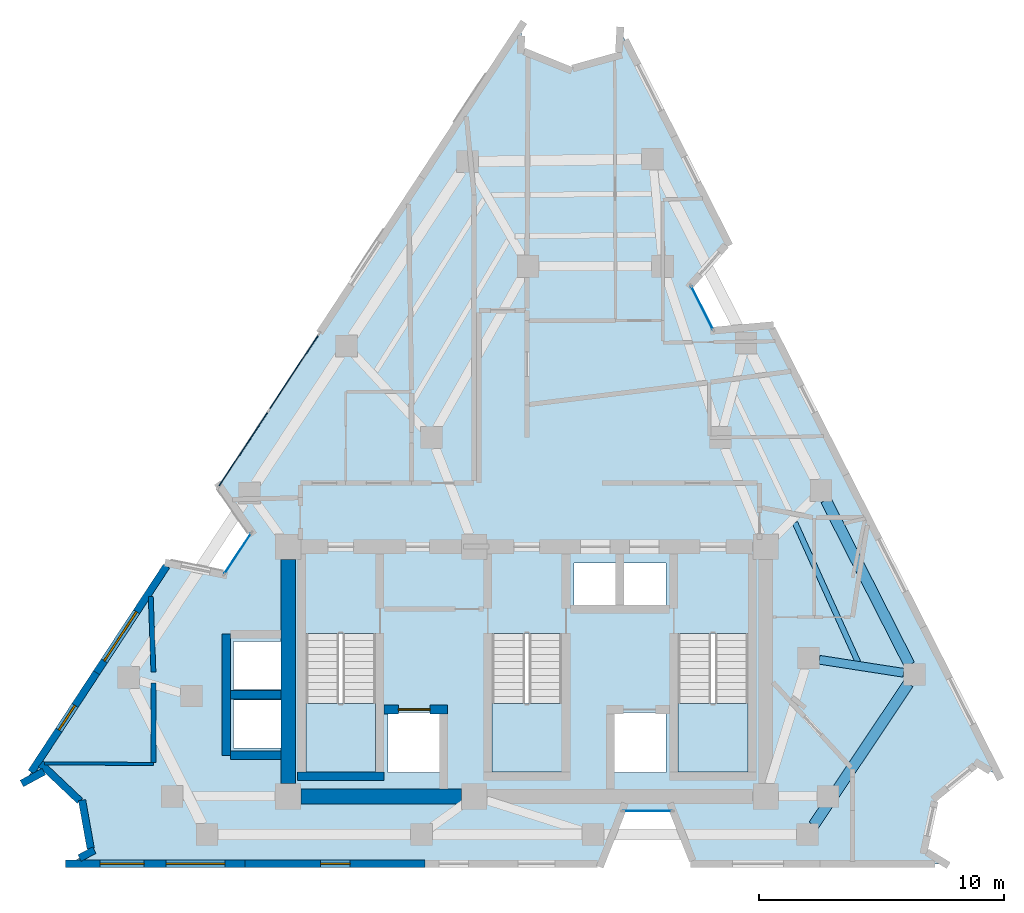
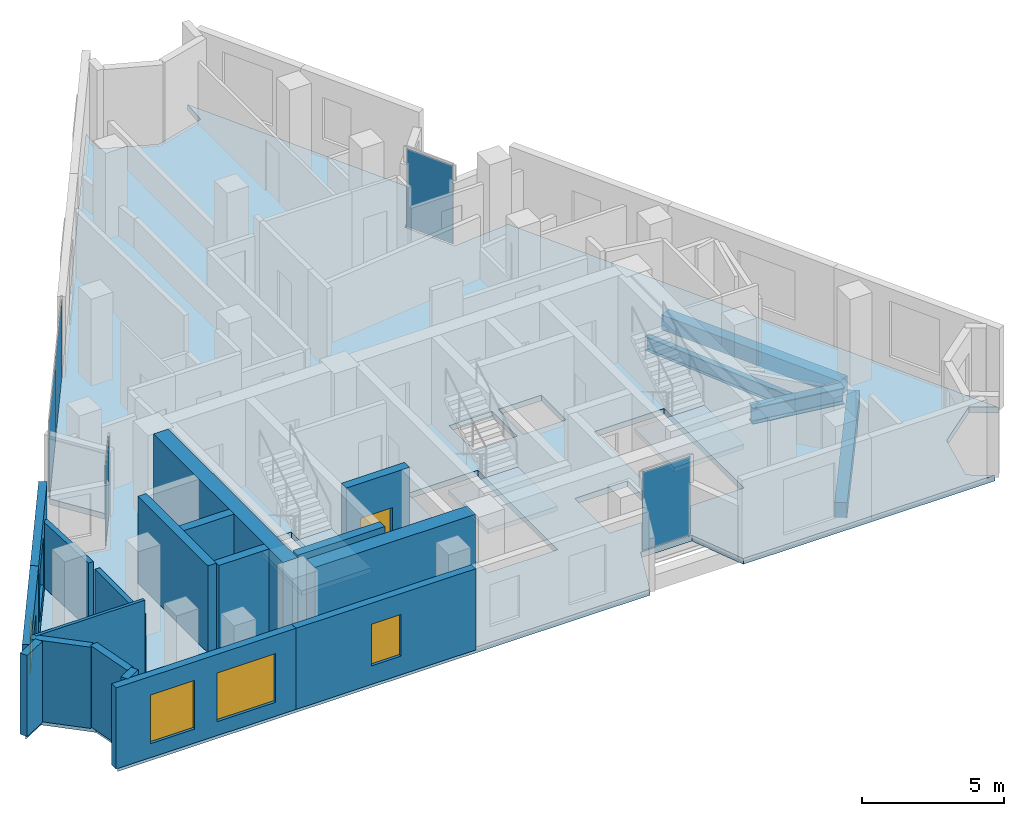
# One storey, part 4 of 9: 18 walls, 5 plates, 5 windows, 4 beams, 4 slabs, 1 door, 6 openings, 7 elements without a shape of their own.
"""IFC4 building model written with IfcOpenShell, lengths in metres."""

import ifcopenshell
import ifcopenshell.guid

model = None  # the IFC model being written
_history = None  # IfcOwnerHistory: only IFC2X3 demands one
_inside = {}  # id of a spatial element -> (the spatial element, [elements in it])
_under = {}  # id of a project, library or spatial element -> (it, [spatial elements below it])
_declared = {}  # id of a project -> (the project, [libraries it declares])
_typed = {}  # id of a type object -> (the type object, [elements of that type])
_made_of = {}  # id of a material, layer set ... -> (it, [elements and type objects made of it])


def new_model(schema):
    """Start an empty IFC model of exactly this schema.

    Asked for "IFC4X3", IfcOpenShell would pick the latest addendum, in which some entities
    have other attributes; the version numbers below select the first issue.
    IFC2X3 requires an IfcOwnerHistory on every rooted entity: one is made here for all.
    """
    global model, _history
    if schema == "IFC4X3":
        model = ifcopenshell.file(schema_version=(4, 3, 0, 0))
    else:
        model = ifcopenshell.file(schema=schema)
    _inside.clear()
    _under.clear()
    _declared.clear()
    _typed.clear()
    _made_of.clear()
    _history = None
    if model.schema == "IFC2X3":
        org = make("IfcOrganization", Name="unknown")
        user = make(
            "IfcPersonAndOrganization",
            ThePerson=make("IfcPerson", FamilyName="unknown"),
            TheOrganization=org,
        )
        app = make(
            "IfcApplication",
            ApplicationDeveloper=org,
            Version="unknown",
            ApplicationFullName="unknown",
            ApplicationIdentifier="unknown",
        )
        _history = make(
            "IfcOwnerHistory",
            OwningUser=user,
            OwningApplication=app,
            ChangeAction="ADDED",
            CreationDate=0,
        )
    return model


def make(cls, **values):
    """One entity of the class cls with the attributes given. An attribute that is None is left unset."""
    return model.create_entity(
        cls, **{name: value for name, value in values.items() if value is not None}
    )


def rooted(cls, **values):
    """An entity with a GlobalId (a new one), such as an element, a storey or a relation."""
    return make(cls, GlobalId=ifcopenshell.guid.new(), OwnerHistory=_history, **values)


def si_unit(unit_type, name, prefix=None):
    """IfcSIUnit, for example si_unit("LENGTHUNIT", "METRE", prefix="MILLI")."""
    return make("IfcSIUnit", UnitType=unit_type, Prefix=prefix, Name=name)


def assignment(units):
    """IfcUnitAssignment: the units of a project."""
    return None if units is None else make("IfcUnitAssignment", Units=units)


def point(xyz):
    """IfcCartesianPoint."""
    return None if xyz is None else make("IfcCartesianPoint", Coordinates=xyz)


def direction(xyz):
    """IfcDirection."""
    return None if xyz is None else make("IfcDirection", DirectionRatios=xyz)


def frame(location, z_axis=None, x_axis=None):
    """IfcAxis2Placement3D, a coordinate frame: its origin and axes. An axis left out is left unset."""
    return make(
        "IfcAxis2Placement3D",
        Location=point(location),
        Axis=direction(z_axis),
        RefDirection=direction(x_axis),
    )


def frame_2d(location, x_axis=None):
    """IfcAxis2Placement2D, a coordinate frame in the plane: its origin and x axis."""
    return make(
        "IfcAxis2Placement2D", Location=point(location), RefDirection=direction(x_axis)
    )


def origin():
    """The frame at (0, 0, 0) with its axes left unset."""
    return frame((0.0, 0.0, 0.0))


def origin_2d():
    """The frame at (0, 0) in the plane with its x axis left unset."""
    return frame_2d((0.0, 0.0))


def place(relative_to, where):
    """IfcLocalPlacement: puts the frame where relative to a parent placement (None: the world)."""
    return make(
        "IfcLocalPlacement", PlacementRelTo=relative_to, RelativePlacement=where
    )


def context(
    kind, dimensions, precision=None, world=None, true_north=None, identifier=None
):
    """IfcGeometricRepresentationContext, for example the 3D "Model" context."""
    return make(
        "IfcGeometricRepresentationContext",
        ContextIdentifier=identifier,
        ContextType=kind,
        CoordinateSpaceDimension=dimensions,
        Precision=precision,
        WorldCoordinateSystem=world,
        TrueNorth=true_north,
    )


def subcontext(parent, identifier, kind, view, scale=None):
    """IfcGeometricRepresentationSubContext, for example "Body" below "Model"."""
    return make(
        "IfcGeometricRepresentationSubContext",
        ContextIdentifier=identifier,
        ContextType=kind,
        ParentContext=parent,
        TargetScale=scale,
        TargetView=view,
    )


def project(units=None, contexts=None):
    """IfcProject with its units and contexts."""
    return rooted(
        "IfcProject",
        Name="project",
        RepresentationContexts=contexts,
        UnitsInContext=assignment(units),
    )


def spatial(cls, under=None, at=None, **own):
    """A site, building, storey or space (cls), placed at a placement, below another one or the project."""
    s = rooted(cls, ObjectPlacement=at, **own)
    if under is not None:
        _under.setdefault(under.id(), (under, []))[1].append(s)
    return s


def polyline(points):
    """IfcPolyline through the points."""
    return make("IfcPolyline", Points=[point(p) for p in points])


def profile(cls, at=None, kind="AREA", **sizes):
    """A parametric profile (cls). Its sizes go by their IFC names, for example OverallWidth=200.0."""
    return make(cls, ProfileType=kind, Position=at, **sizes)


def rectangle(**sizes):
    """IfcRectangleProfileDef."""
    return profile("IfcRectangleProfileDef", **sizes)


def i_section(**sizes):
    """IfcIShapeProfileDef."""
    return profile("IfcIShapeProfileDef", **sizes)


def outline(outer, holes=None, kind="AREA"):
    """IfcArbitraryClosedProfileDef: a profile drawn as a closed curve; with holes, ...WithVoids."""
    if holes is None:
        return make("IfcArbitraryClosedProfileDef", ProfileType=kind, OuterCurve=outer)
    return make(
        "IfcArbitraryProfileDefWithVoids",
        ProfileType=kind,
        OuterCurve=outer,
        InnerCurves=holes,
    )


def extrude(swept, where, along, depth):
    """IfcExtrudedAreaSolid: the profile swept, set in the frame where, extruded along a direction by depth."""
    return make(
        "IfcExtrudedAreaSolid",
        SweptArea=swept,
        Position=where,
        ExtrudedDirection=direction(along),
        Depth=depth,
    )


def shape(context_of_items, identifier, shape_type, items):
    """IfcShapeRepresentation: the items that make up one representation, for example the "Body"."""
    return make(
        "IfcShapeRepresentation",
        ContextOfItems=context_of_items,
        RepresentationIdentifier=identifier,
        RepresentationType=shape_type,
        Items=items,
    )


def material(Name=None, Category=None):
    """IfcMaterial."""
    return make("IfcMaterial", Name=Name, Category=Category)


def layer(
    of_material, thickness, ventilated=None, Name=None, Category=None, Priority=None
):
    """IfcMaterialLayer: one layer of a wall or slab, of a material (None: an air gap)."""
    return make(
        "IfcMaterialLayer",
        Material=of_material,
        LayerThickness=thickness,
        IsVentilated=ventilated,
        Name=Name,
        Category=Category,
        Priority=Priority,
    )


def layer_set(layers, Name=None):
    """IfcMaterialLayerSet."""
    return make("IfcMaterialLayerSet", MaterialLayers=layers, LayerSetName=Name)


def material_profile(
    of_material, cross_section, Name=None, Category=None, Priority=None
):
    """IfcMaterialProfile: a cross section and its material."""
    return make(
        "IfcMaterialProfile",
        Name=Name,
        Material=of_material,
        Profile=cross_section,
        Priority=Priority,
        Category=Category,
    )


def profile_set(profiles, Name=None, composite=None):
    """IfcMaterialProfileSet."""
    return make(
        "IfcMaterialProfileSet",
        Name=Name,
        MaterialProfiles=profiles,
        CompositeProfile=composite,
    )


def made_of(thing, what):
    """Note that an element or type object is made of a material, layer set ...; save() writes the relation."""
    if what is not None:
        _made_of.setdefault(what.id(), (what, []))[1].append(thing)
    return thing


def type_object(cls, material=None, **own):
    """A type object (cls), such as IfcWallType, which elements share."""
    return made_of(rooted(cls, **own), material)


def element(
    cls,
    number,
    at=None,
    inside=None,
    cuts=None,
    type_object=None,
    material=None,
    context=None,
    identifier="Body",
    shape_type=None,
    held_by="IfcProductDefinitionShape",
    body=None,
    shapes=None,
    **own,
):
    """One element of the class cls, such as IfcWall. Its Tag is "e" and its number.

    at: its placement. inside: the storey or other place that contains it. cuts: it is an
    opening in that element (IfcRelVoidsElement). A single representation is given by context,
    identifier, shape_type and body (its items); several are given by shapes. held_by: the class
    of the entity that holds the representations. save() writes the other relations.
    """
    e = rooted(cls, Tag="e%d" % number, ObjectPlacement=at, **own)
    if body is not None:
        shapes = [shape(context, identifier, shape_type, body)]
    if shapes is not None:
        e.Representation = make(held_by, Representations=shapes)
    if inside is not None:
        _inside.setdefault(inside.id(), (inside, []))[1].append(e)
    if cuts is not None:
        rooted(
            "IfcRelVoidsElement", RelatingBuildingElement=cuts, RelatedOpeningElement=e
        )
    if type_object is not None:
        _typed.setdefault(type_object.id(), (type_object, []))[1].append(e)
    return made_of(e, material)


def fill(opening, filler):
    """IfcRelFillsElement: the door or window that sits in an opening."""
    return rooted(
        "IfcRelFillsElement",
        RelatingOpeningElement=opening,
        RelatedBuildingElement=filler,
    )


def aggregate(whole, parts):
    """IfcRelAggregates: a whole, such as a stair, and the parts it consists of."""
    return rooted("IfcRelAggregates", RelatingObject=whole, RelatedObjects=parts)


def save(model, path):
    """Write the relations noted so far, then the file.

    IfcRelAggregates (storeys below a building ...), IfcRelContainedInSpatialStructure (elements
    in a storey), IfcRelDefinesByType, IfcRelAssociatesMaterial and IfcRelDeclares: one each for
    every whole, place, type object, material and project.
    """
    for whole, parts in _under.values():
        aggregate(whole, parts)
    for where, things in _inside.values():
        rooted(
            "IfcRelContainedInSpatialStructure",
            RelatedElements=things,
            RelatingStructure=where,
        )
    for kind, things in _typed.values():
        rooted("IfcRelDefinesByType", RelatedObjects=things, RelatingType=kind)
    for what, things in _made_of.values():
        rooted("IfcRelAssociatesMaterial", RelatedObjects=things, RelatingMaterial=what)
    for by, libraries in _declared.values():
        rooted("IfcRelDeclares", RelatingContext=by, RelatedDefinitions=libraries)
    model.write(path)


model = new_model("IFC4")

# Units and contexts
model_context = context("Model", 3, precision=1e-05, world=origin(), true_north=direction((0.0, 1.0)))
body_context = subcontext(model_context, "Body", "Model", "MODEL_VIEW")
ifc_project = project(units=[si_unit("LENGTHUNIT", "METRE"), si_unit("AREAUNIT", "SQUARE_METRE"), si_unit("VOLUMEUNIT", "CUBIC_METRE"), si_unit("PLANEANGLEUNIT", "RADIAN"), si_unit("MASSUNIT", "GRAM", prefix="KILO")], contexts=[model_context])

# Site, building, storey
site_placement = place(None, origin())
site = spatial("IfcSite", under=ifc_project, at=site_placement, CompositionType="ELEMENT")
building_placement = place(site_placement, origin())
building = spatial("IfcBuilding", under=site, at=building_placement, Name="Almagre Mirador Tower", CompositionType="ELEMENT")
storey_placement = place(building_placement, frame((0.0, 0.0, 248.25)))
storey = spatial("IfcBuildingStorey", under=building, at=storey_placement, Name="L64", CompositionType="ELEMENT", Elevation=248.25)

# Beams
ifc_material_1 = material(Name="Steel ASTM A992 Grade 50", Category="steel")
ifc_material_profile_1 = material_profile(ifc_material_1, i_section(OverallWidth=0.22802734375, OverallDepth=0.60791015625, WebThickness=0.01123046875, FlangeThickness=0.017333984375, FilletRadius=0.02001953125, at=origin_2d()), Name="W24X76")
ifc_profile_set_1 = profile_set([ifc_material_profile_1], Name="Steel ASTM A992 Grade 50")
beam_type_1 = type_object("IfcBeamType", Name="BM-JST-W24X76", PredefinedType="JOIST", material=ifc_profile_set_1)
beam_1_placement = place(storey_placement, frame((50.821533203125, 10.038330078125, -0.553955078125), z_axis=(-0.411985589516, 0.911190361029, 0.0), x_axis=(-0.911190361029, -0.411985589516, 0.0)))
element("IfcBeam", 1, at=beam_1_placement, inside=storey, type_object=beam_type_1, Name="L64 secondary floor joist PC05-PC06.2", PredefinedType="JOIST", context=body_context, shape_type="SweptSolid", body=[
    extrude(i_section(OverallWidth=0.22802734375, OverallDepth=0.60791015625, WebThickness=0.01123046875, FlangeThickness=0.017333984375, FilletRadius=0.02001953125, at=origin_2d()), origin(), (0.0, 0.0, 1.0), 6.247802734375),
])
ifc_material_2 = material(Name="Precast concrete C50/60", Category="concrete")
ifc_material_profile_2 = material_profile(ifc_material_2, rectangle(XDim=0.449951171875, YDim=0.64990234375, at=origin_2d()), Name="RC450X650")
ifc_profile_set_2 = profile_set([ifc_material_profile_2], Name="Precast concrete C50/60")
beam_type_2 = type_object("IfcBeamType", Name="BM-SPN-RC450X650", PredefinedType="SPANDREL", material=ifc_profile_set_2)
beam_2_placement = place(storey_placement, frame((49.01416015625, 3.3740234375, -0.574951171875), z_axis=(0.555688352968, 0.831390674939, 0.0), x_axis=(-0.831390674939, 0.555688352968, 0.0)))
element("IfcBeam", 2, at=beam_2_placement, inside=storey, type_object=beam_type_2, Name="L64 perimeter spandrel beam PC04-PC05", PredefinedType="SPANDREL", context=body_context, shape_type="SweptSolid", body=[
    extrude(rectangle(XDim=0.449951171875, YDim=0.64990234375, at=origin_2d()), origin(), (0.0, 0.0, 1.0), 6.953125),
])
beam_3_placement = place(storey_placement, frame((52.92431640625, 9.93017578125, -0.574951171875), z_axis=(-0.452920240804, 0.891551039184, 0.0), x_axis=(-0.891551039184, -0.452920240804, 0.0)))
element("IfcBeam", 3, at=beam_3_placement, inside=storey, type_object=beam_type_2, Name="L64 perimeter spandrel beam PC05-PC06", PredefinedType="SPANDREL", context=body_context, shape_type="SweptSolid", body=[
    extrude(rectangle(XDim=0.449951171875, YDim=0.64990234375, at=origin_2d()), origin(), (0.0, 0.0, 1.0), 7.53466796875),
])
ifc_material_3 = material(Name="Steel ASTM A992 Grade 50", Category="steel")
ifc_material_profile_3 = material_profile(ifc_material_3, i_section(OverallWidth=0.35791015625, OverallDepth=0.7060546875, WebThickness=0.018310546875, FlangeThickness=0.0302734375, FilletRadius=0.02197265625, at=origin_2d()), Name="W27X178")
ifc_profile_set_3 = profile_set([ifc_material_profile_3], Name="Steel ASTM A992 Grade 50")
beam_type_3 = type_object("IfcBeamType", Name="BM-STL-W27X178", PredefinedType="BEAM", material=ifc_profile_set_3)
beam_4_placement = place(storey_placement, frame((52.683349609375, 9.597900390625, -0.60302734375), z_axis=(-0.988190943166, 0.153227477449, 0.0), x_axis=(-0.153227477449, -0.988190943166, 0.0)))
element("IfcBeam", 4, at=beam_4_placement, inside=storey, type_object=beam_type_3, Name="L64 radial floor girder PC05-MC3", PredefinedType="BEAM", context=body_context, shape_type="SweptSolid", body=[
    extrude(i_section(OverallWidth=0.35791015625, OverallDepth=0.7060546875, WebThickness=0.018310546875, FlangeThickness=0.0302734375, FilletRadius=0.02197265625, at=origin_2d()), origin(), (0.0, 0.0, 1.0), 3.479736328125),
])

# Curtain wall, plate
ifc_material_4 = material(Name="Black anodized aluminium", Category="aluminium")
ifc_layer_1 = layer(ifc_material_4, 0.169921875)
ifc_layer_set_1 = layer_set([ifc_layer_1], Name="Black anodized aluminium")
curtain_wall_type_1 = type_object("IfcCurtainWallType", Name="CW-CRS-SYS", PredefinedType="NOTDEFINED", material=ifc_layer_set_1)
curtain_wall_1_placement = place(storey_placement, origin())
curtain_wall_1 = element("IfcCurtainWall", 5, at=curtain_wall_1_placement, inside=storey, type_object=curtain_wall_type_1, Name="L64 vertical crease curtain wall 01", PredefinedType="NOTDEFINED")
ifc_material_5 = material(Name="Dark solar-control laminated hurricane glass", Category="glass")
ifc_layer_2 = layer(ifc_material_5, 0.028076171875)
ifc_layer_set_2 = layer_set([ifc_layer_2], Name="Dark solar-control laminated hurricane glass")
plate_type_1 = type_object("IfcPlateType", Name="PLT-GLZ-28", PredefinedType="CURTAIN_PANEL", material=ifc_layer_set_2)
plate_1_placement = place(storey_placement, frame((25.49755859375, 14.473388671875, 0.06005859375), z_axis=(0.0, 0.0, 1.0), x_axis=(0.548834109267, 0.835931289344, 0.0)))
plate_1 = element("IfcPlate", 6, at=plate_1_placement, type_object=plate_type_1, Name="CW-4 panel 1.1", PredefinedType="CURTAIN_PANEL", context=body_context, shape_type="SweptSolid", body=[
    extrude(rectangle(XDim=1.969970703125, YDim=0.028076171875, at=origin_2d()), origin(), (0.0, 0.0, 1.0), 3.3798828125),
])
aggregate(curtain_wall_1, [plate_1])

curtain_wall_2_placement = place(storey_placement, origin())
curtain_wall_2 = element("IfcCurtainWall", 7, at=curtain_wall_2_placement, inside=storey, type_object=curtain_wall_type_1, Name="L64 vertical crease curtain wall 03", PredefinedType="NOTDEFINED")
plate_2_placement = place(storey_placement, frame((44.45703125, 24.5009765625, 0.06005859375), z_axis=(0.0, 0.0, 1.0), x_axis=(0.452563618183, -0.891732118686, 0.0)))
plate_2 = element("IfcPlate", 8, at=plate_2_placement, type_object=plate_type_1, Name="CW-4 panel 1.1", PredefinedType="CURTAIN_PANEL", context=body_context, shape_type="SweptSolid", body=[
    extrude(rectangle(XDim=1.97021484375, YDim=0.028076171875, at=origin_2d()), origin(), (0.0, 0.0, 1.0), 3.3798828125),
])
aggregate(curtain_wall_2, [plate_2])

curtain_wall_3_placement = place(storey_placement, origin())
curtain_wall_3 = element("IfcCurtainWall", 9, at=curtain_wall_3_placement, inside=storey, type_object=curtain_wall_type_1, Name="L64 vertical crease curtain wall 04", PredefinedType="NOTDEFINED")
plate_3_placement = place(storey_placement, frame((42.22802734375, 3.949951171875, 0.06005859375), z_axis=(0.0, 0.0, 1.0), x_axis=(-1.0, 0.0, 0.0)))
plate_3 = element("IfcPlate", 10, at=plate_3_placement, type_object=plate_type_1, Name="CW-4 panel 1.1", PredefinedType="CURTAIN_PANEL", context=body_context, shape_type="SweptSolid", body=[
    extrude(rectangle(XDim=1.969970703125, YDim=0.028076171875, at=origin_2d()), origin(), (0.0, 0.0, 1.0), 3.3798828125),
])
aggregate(curtain_wall_3, [plate_3])

# Curtain wall, plates
ifc_material_6 = material(Name="Black anodized aluminium", Category="aluminium")
ifc_layer_3 = layer(ifc_material_6, 0.199951171875)
ifc_layer_set_3 = layer_set([ifc_layer_3], Name="Black anodized aluminium")
curtain_wall_type_2 = type_object("IfcCurtainWallType", Name="CW-RES-H-SYS", PredefinedType="NOTDEFINED", material=ifc_layer_set_3)
curtain_wall_4_placement = place(storey_placement, origin())
curtain_wall_4 = element("IfcCurtainWall", 11, at=curtain_wall_4_placement, inside=storey, type_object=curtain_wall_type_2, Name="L64 curtain wall run 02", PredefinedType="NOTDEFINED")
ifc_material_7 = material(Name="Dark solar-control laminated hurricane glass", Category="glass")
ifc_layer_4 = layer(ifc_material_7, 0.035888671875)
ifc_layer_set_4 = layer_set([ifc_layer_4], Name="Dark solar-control laminated hurricane glass")
plate_type_2 = type_object("IfcPlateType", Name="PLT-GLZ-36", PredefinedType="CURTAIN_PANEL", material=ifc_layer_set_4)
plate_4_placement = place(storey_placement, frame((25.71875, 18.72607421875, 0.06494140625), z_axis=(0.0, 0.0, 1.0), x_axis=(0.549052858029, 0.835787627984, 0.0)))
plate_4 = element("IfcPlate", 12, at=plate_4_placement, type_object=plate_type_2, Name="CW-3 panel 1.1", PredefinedType="CURTAIN_PANEL", context=body_context, shape_type="SweptSolid", body=[
    extrude(rectangle(XDim=3.701171875, YDim=0.035888671875, at=origin_2d()), origin(), (0.0, 0.0, 1.0), 3.3701171875),
])
plate_5_placement = place(storey_placement, frame((27.78662109375, 21.873779296875, 0.06494140625), z_axis=(0.0, 0.0, 1.0), x_axis=(0.549052858029, 0.835787627984, 0.0)))
plate_5 = element("IfcPlate", 13, at=plate_5_placement, type_object=plate_type_2, Name="CW-3 panel 2.1", PredefinedType="CURTAIN_PANEL", context=body_context, shape_type="SweptSolid", body=[
    extrude(rectangle(XDim=3.701171875, YDim=0.035888671875, at=origin_2d()), origin(), (0.0, 0.0, 1.0), 3.3701171875),
])
aggregate(curtain_wall_4, [plate_4, plate_5])

# Slab
ifc_material_8 = material(Name="Concrete C45/55", Category="concrete")
ifc_layer_5 = layer(ifc_material_8, 0.25)
ifc_layer_set_5 = layer_set([ifc_layer_5], Name="Concrete C45/55")
slab_type_1 = type_object("IfcSlabType", Name="SLB-FLR-250", PredefinedType="FLOOR", material=ifc_layer_set_5)
slab_1_placement = place(storey_placement, frame((0.0, 0.0, -0.25)))
element("IfcSlab", 14, at=slab_1_placement, inside=storey, type_object=slab_type_1, Name="L64 structural floor slab", PredefinedType="FLOOR", context=body_context, shape_type="SweptSolid", body=[
    extrude(outline(polyline([(16.7958984375, 5.14306640625), (17.70703125, 5.635009765625), (19.158935546875, 4.260009765625), (19.510986328125, 2.291015625), (18.60009765625, 1.800048828125), (40.327880859375, 1.800048828125), (41.18310546875, 3.949951171875), (43.27294921875, 3.949951171875), (44.1279296875, 1.800048828125), (54.39990234375, 1.800048828125), (53.51806640625, 2.341064453125), (53.985107421875, 4.509033203125), (55.7060546875, 5.907958984375), (56.587890625, 5.365966796875), (47.23388671875, 23.781005859375), (44.929931640625, 23.569091796875), (43.98388671875, 25.43310546875), (45.512939453125, 27.1689453125), (41.112060546875, 35.833984375), (41.053955078125, 34.800048828125), (39.011962890625, 34.22802734375), (37.0458984375, 35.02294921875), (37.10400390625, 36.056884765625), (24.743896484375, 17.241943359375), (26.071044921875, 15.346923828125), (24.924072265625, 13.60009765625), (22.657958984375, 14.06591796875), (16.7958984375, 5.14306640625)]), holes=[polyline([(43.47509765625, 5.550048828125), (43.47509765625, 11.196044921875), (46.324951171875, 11.196044921875), (46.324951171875, 5.550048828125), (43.47509765625, 5.550048828125)]), polyline([(41.219970703125, 12.320068359375), (41.219970703125, 14.080078125), (42.97998046875, 14.080078125), (42.97998046875, 12.320068359375), (41.219970703125, 12.320068359375)]), polyline([(42.97998046875, 5.52001953125), (40.820068359375, 5.52001953125), (40.820068359375, 7.97998046875), (42.97998046875, 7.97998046875), (42.97998046875, 5.52001953125)]), polyline([(39.219970703125, 12.320068359375), (39.219970703125, 14.080078125), (40.97998046875, 14.080078125), (40.97998046875, 12.320068359375), (39.219970703125, 12.320068359375)]), polyline([(35.875, 5.550048828125), (35.875, 11.196044921875), (38.72509765625, 11.196044921875), (38.72509765625, 5.550048828125), (35.875, 5.550048828125)]), polyline([(33.780029296875, 5.52001953125), (31.6201171875, 5.52001953125), (31.6201171875, 7.97998046875), (33.780029296875, 7.97998046875), (33.780029296875, 5.52001953125)]), polyline([(28.27490234375, 5.550048828125), (28.27490234375, 11.196044921875), (31.125, 11.196044921875), (31.125, 5.550048828125), (28.27490234375, 5.550048828125)]), polyline([(27.3798828125, 6.52001953125), (25.320068359375, 6.52001953125), (25.320068359375, 8.47998046875), (27.3798828125, 8.47998046875), (27.3798828125, 6.52001953125)]), polyline([(27.3798828125, 8.919921875), (25.320068359375, 8.919921875), (25.320068359375, 10.8798828125), (27.3798828125, 10.8798828125), (27.3798828125, 8.919921875)])]), origin(), (0.0, 0.0, 1.0), 0.25),
])

# Stair, slab
ifc_material_9 = material(Name="Concrete C45/55", Category="concrete")
stair_type = type_object("IfcStairType", Name="STR-DL-3750", PredefinedType="HALF_TURN_STAIR", material=ifc_material_9)
stair_1_placement = place(storey_placement, origin())
stair_1 = element("IfcStair", 15, at=stair_1_placement, inside=storey, type_object=stair_type, Name="L64 Protected exit stair ST-1", PredefinedType="HALF_TURN_STAIR")
ifc_material_10 = material(Name="Concrete C45/55", Category="concrete")
ifc_layer_6 = layer(ifc_material_10, 0.199951171875)
ifc_layer_set_6 = layer_set([ifc_layer_6], Name="Concrete C45/55")
slab_type_2 = type_object("IfcSlabType", Name="SLB-LND-200", PredefinedType="LANDING", material=ifc_layer_set_6)
slab_2_placement = place(storey_placement, frame((0.0, 0.0, 1.675048828125)))
slab_2 = element("IfcSlab", 16, at=slab_2_placement, type_object=slab_type_2, Name="ST-1 landing 1", PredefinedType="LANDING", context=body_context, shape_type="SweptSolid", body=[
    extrude(outline(polyline([(28.27490234375, 8.35009765625), (28.27490234375, 5.550048828125), (31.125, 5.550048828125), (31.125, 8.35009765625), (28.27490234375, 8.35009765625)])), origin(), (0.0, 0.0, 1.0), 0.199951171875),
])
aggregate(stair_1, [slab_2])

stair_2_placement = place(storey_placement, origin())
stair_2 = element("IfcStair", 17, at=stair_2_placement, inside=storey, type_object=stair_type, Name="L64 Protected exit stair ST-2", PredefinedType="HALF_TURN_STAIR")
slab_3_placement = place(storey_placement, frame((0.0, 0.0, 1.675048828125)))
slab_3 = element("IfcSlab", 18, at=slab_3_placement, type_object=slab_type_2, Name="ST-2 landing 1", PredefinedType="LANDING", context=body_context, shape_type="SweptSolid", body=[
    extrude(outline(polyline([(35.875, 8.35009765625), (35.875, 5.550048828125), (38.72509765625, 5.550048828125), (38.72509765625, 8.35009765625), (35.875, 8.35009765625)])), origin(), (0.0, 0.0, 1.0), 0.199951171875),
])
aggregate(stair_2, [slab_3])

stair_3_placement = place(storey_placement, origin())
stair_3 = element("IfcStair", 19, at=stair_3_placement, inside=storey, type_object=stair_type, Name="L64 Protected exit stair ST-3", PredefinedType="HALF_TURN_STAIR")
slab_4_placement = place(storey_placement, frame((0.0, 0.0, 1.675048828125)))
slab_4 = element("IfcSlab", 20, at=slab_4_placement, type_object=slab_type_2, Name="ST-3 landing 1", PredefinedType="LANDING", context=body_context, shape_type="SweptSolid", body=[
    extrude(outline(polyline([(43.47509765625, 8.35009765625), (43.47509765625, 5.550048828125), (46.324951171875, 5.550048828125), (46.324951171875, 8.35009765625), (43.47509765625, 8.35009765625)])), origin(), (0.0, 0.0, 1.0), 0.199951171875),
])
aggregate(stair_3, [slab_4])

# Wall, opening, window
ifc_material_11 = material(Name="Precast concrete C50/60", Category="concrete")
ifc_layer_7 = layer(ifc_material_11, 0.300048828125)
ifc_layer_set_7 = layer_set([ifc_layer_7], Name="Precast concrete C50/60")
wall_type_1 = type_object("IfcWallType", Name="WAL-EXT-300", PredefinedType="SOLIDWALL", material=ifc_layer_set_7)
wall_1_placement = place(storey_placement, frame((33.132080078125, 1.800048828125, 0.0), z_axis=(0.0, 0.0, 1.0), x_axis=(-1.0, 0.0, 0.0)))
wall_1 = element("IfcWall", 21, at=wall_1_placement, inside=storey, type_object=wall_type_1, Name="L64 expressed almagre precast frame wall 25", PredefinedType="SOLIDWALL", context=body_context, shape_type="SweptSolid", body=[
    extrude(rectangle(XDim=7.336181640625, YDim=0.300048828125, at=frame_2d((3.66796875, 0.0))), origin(), (0.0, 0.0, 1.0), 3.5),
])
opening_1_placement = place(wall_1_placement, frame((3.050048828125, 0.0, 0.800048828125)))
opening_1 = element("IfcOpeningElement", 22, at=opening_1_placement, cuts=wall_1, Name="Opening WN-04", PredefinedType="OPENING", context=body_context, shape_type="SweptSolid", body=[
    extrude(rectangle(XDim=1.199951171875, YDim=1.800048828125, at=frame_2d((0.60009765625, 0.89990234375))), frame((0.0, 0.159902, 0.0), z_axis=(0.0, -1.0, 0.0), x_axis=(1.0, 0.0, 0.0)), (0.0, 0.0, 1.0), 0.320049),
])
ifc_material_12 = material(Name="Dark solar-control laminated hurricane glass", Category="glass")
window_type_1 = type_object("IfcWindowType", Name="WIN-1200X1800", PartitioningType="SINGLE_PANEL", PredefinedType="WINDOW", material=ifc_material_12)
window_1_placement = place(opening_1_placement, origin())
window_1 = element("IfcWindow", 23, at=window_1_placement, inside=storey, type_object=window_type_1, Name="L64 recessed hurricane window L64-RST-B", OverallHeight=1.800048828125, OverallWidth=1.199951171875, PartitioningType="SINGLE_PANEL", PredefinedType="WINDOW", context=body_context, shape_type="SweptSolid", body=[
    extrude(rectangle(XDim=1.199951171875, YDim=1.800048828125, at=frame_2d((0.60009765625, 0.89990234375))), frame((0.0, 0.030029296875, 0.0), z_axis=(0.0, -1.0, 0.0), x_axis=(1.0, 0.0, 0.0)), (0.0, 0.0, 1.0), 0.06005859375),
])
fill(opening_1, window_1)

# Wall, openings, windows
wall_2_placement = place(storey_placement, frame((25.7958984375, 1.800048828125, 0.0), z_axis=(0.0, 0.0, 1.0), x_axis=(-1.0, 0.0, 0.0)))
wall_2 = element("IfcWall", 24, at=wall_2_placement, inside=storey, type_object=wall_type_1, Name="L64 expressed almagre precast frame wall 26", PredefinedType="SOLIDWALL", context=body_context, shape_type="SweptSolid", body=[
    extrude(rectangle(XDim=7.3359375, YDim=0.300048828125, at=frame_2d((3.66796875, 0.0))), origin(), (0.0, 0.0, 1.0), 3.5),
])
opening_2_placement = place(wall_2_placement, frame((4.125, 0.0, 0.60009765625)))
opening_2 = element("IfcOpeningElement", 25, at=opening_2_placement, cuts=wall_2, Name="Opening WN-01", PredefinedType="OPENING", context=body_context, shape_type="SweptSolid", body=[
    extrude(rectangle(XDim=1.800048828125, YDim=2.10009765625, at=frame_2d((0.89990234375, 1.050048828125))), frame((0.0, 0.159902, 0.0), z_axis=(0.0, -1.0, 0.0), x_axis=(1.0, 0.0, 0.0)), (0.0, 0.0, 1.0), 0.320049),
])
opening_3_placement = place(wall_2_placement, frame((0.824951171875, 0.0, 0.60009765625)))
opening_3 = element("IfcOpeningElement", 26, at=opening_3_placement, cuts=wall_2, Name="Opening WN-02", PredefinedType="OPENING", context=body_context, shape_type="SweptSolid", body=[
    extrude(rectangle(XDim=2.39990234375, YDim=2.10009765625, at=frame_2d((1.199951171875, 1.050048828125))), frame((0.0, 0.159902, 0.0), z_axis=(0.0, -1.0, 0.0), x_axis=(1.0, 0.0, 0.0)), (0.0, 0.0, 1.0), 0.320049),
])
ifc_material_13 = material(Name="Dark solar-control laminated hurricane glass", Category="glass")
window_type_2 = type_object("IfcWindowType", Name="WIN-1800X2100", PartitioningType="DOUBLE_PANEL_VERTICAL", PredefinedType="WINDOW", material=ifc_material_13)
window_2_placement = place(opening_2_placement, origin())
window_2 = element("IfcWindow", 27, at=window_2_placement, inside=storey, type_object=window_type_2, Name="L64 recessed hurricane window L64-UA-BT", OverallHeight=2.10009765625, OverallWidth=1.800048828125, PartitioningType="SINGLE_PANEL", PredefinedType="WINDOW", context=body_context, shape_type="SweptSolid", body=[
    extrude(rectangle(XDim=1.800048828125, YDim=2.10009765625, at=frame_2d((0.89990234375, 1.050048828125))), frame((0.0, 0.030029296875, 0.0), z_axis=(0.0, -1.0, 0.0), x_axis=(1.0, 0.0, 0.0)), (0.0, 0.0, 1.0), 0.06005859375),
])
fill(opening_2, window_2)
ifc_material_14 = material(Name="Dark solar-control laminated hurricane glass", Category="glass")
window_type_3 = type_object("IfcWindowType", Name="WIN-2400X2100", PartitioningType="TRIPLE_PANEL_VERTICAL", PredefinedType="WINDOW", material=ifc_material_14)
window_3_placement = place(opening_3_placement, origin())
window_3 = element("IfcWindow", 28, at=window_3_placement, inside=storey, type_object=window_type_3, Name="L64 recessed hurricane window L64-RST-B", OverallHeight=2.10009765625, OverallWidth=2.39990234375, PartitioningType="SINGLE_PANEL", PredefinedType="WINDOW", context=body_context, shape_type="SweptSolid", body=[
    extrude(rectangle(XDim=2.39990234375, YDim=2.10009765625, at=frame_2d((1.199951171875, 1.050048828125))), frame((0.0, 0.030029296875, 0.0), z_axis=(0.0, -1.0, 0.0), x_axis=(1.0, 0.0, 0.0)), (0.0, 0.0, 1.0), 0.06005859375),
])
fill(opening_3, window_3)

# Walls
wall_3_placement = place(storey_placement, frame((19.031494140625, 2.032470703125, 0.0), z_axis=(0.0, 0.0, 1.0), x_axis=(0.880242040971, 0.474524972269, 0.0)))
element("IfcWall", 29, at=wall_3_placement, inside=storey, type_object=wall_type_1, Name="L64 expressed almagre precast frame wall 27", PredefinedType="SOLIDWALL", context=body_context, shape_type="SweptSolid", body=[
    extrude(rectangle(XDim=0.684814453125, YDim=0.300048828125, at=frame_2d((0.34228515625, 0.0))), origin(), (0.0, 0.0, 1.0), 3.5),
])
wall_4_placement = place(storey_placement, frame((19.488037109375, 2.4189453125, 0.0), z_axis=(0.0, 0.0, 1.0), x_axis=(-0.175870508619, 0.984413309641, 0.0)))
element("IfcWall", 30, at=wall_4_placement, inside=storey, type_object=wall_type_1, Name="L64 expressed almagre precast frame wall 28", PredefinedType="SOLIDWALL", context=body_context, shape_type="SweptSolid", body=[
    extrude(rectangle(XDim=2.010009765625, YDim=0.300048828125, at=frame_2d((1.0048828125, 0.0))), origin(), (0.0, 0.0, 1.0), 3.5),
])
wall_5_placement = place(storey_placement, frame((19.04638671875, 4.366455078125, 0.0), z_axis=(0.0, 0.0, 1.0), x_axis=(-0.726074994573, 0.687615519208, 0.0)))
element("IfcWall", 31, at=wall_5_placement, inside=storey, type_object=wall_type_1, Name="L64 expressed almagre precast frame wall 29", PredefinedType="SOLIDWALL", context=body_context, shape_type="SweptSolid", body=[
    extrude(rectangle(XDim=2.20263671875, YDim=0.300048828125, at=frame_2d((1.101318359375, 0.0))), origin(), (0.0, 0.0, 1.0), 3.5),
])
wall_6_placement = place(storey_placement, frame((17.57763671875, 5.565185546875, 0.0), z_axis=(0.0, 0.0, 1.0), x_axis=(-0.879829951612, -0.47528860311, 0.0)))
element("IfcWall", 32, at=wall_6_placement, inside=storey, type_object=wall_type_1, Name="L64 expressed almagre precast frame wall 30", PredefinedType="SOLIDWALL", context=body_context, shape_type="SweptSolid", body=[
    extrude(rectangle(XDim=1.0283203125, YDim=0.300048828125, at=frame_2d((0.51416015625, 0.0))), origin(), (0.0, 0.0, 1.0), 3.5),
])

# Wall, opening, window
wall_7_placement = place(storey_placement, frame((17.0595703125, 5.544189453125, 0.0), z_axis=(0.0, 0.0, 1.0), x_axis=(0.549074595426, 0.835773347659, 0.0)))
wall_7 = element("IfcWall", 33, at=wall_7_placement, inside=storey, type_object=wall_type_1, Name="L64 expressed almagre precast frame wall 31", PredefinedType="SOLIDWALL", context=body_context, shape_type="SweptSolid", body=[
    extrude(rectangle(XDim=4.858154296875, YDim=0.300048828125, at=frame_2d((2.42919921875, 0.0))), origin(), (0.0, 0.0, 1.0), 3.5),
])
opening_4_placement = place(wall_7_placement, frame((2.054931640625, 0.0, 0.800048828125)))
opening_4 = element("IfcOpeningElement", 34, at=opening_4_placement, cuts=wall_7, Name="Opening WN-04", PredefinedType="OPENING", context=body_context, shape_type="SweptSolid", body=[
    extrude(rectangle(XDim=1.199951171875, YDim=1.800048828125, at=frame_2d((0.60009765625, 0.89990234375))), frame((0.0, 0.159902, 0.0), z_axis=(0.0, -1.0, 0.0), x_axis=(1.0, 0.0, 0.0)), (0.0, 0.0, 1.0), 0.320049),
])
window_4_placement = place(opening_4_placement, origin())
window_4 = element("IfcWindow", 35, at=window_4_placement, inside=storey, type_object=window_type_1, Name="L64 recessed hurricane window L64-UA-ST", OverallHeight=1.800048828125, OverallWidth=1.199951171875, PartitioningType="SINGLE_PANEL", PredefinedType="WINDOW", context=body_context, shape_type="SweptSolid", body=[
    extrude(rectangle(XDim=1.199951171875, YDim=1.800048828125, at=frame_2d((0.60009765625, 0.89990234375))), frame((0.0, 0.030029296875, 0.0), z_axis=(0.0, -1.0, 0.0), x_axis=(1.0, 0.0, 0.0)), (0.0, 0.0, 1.0), 0.06005859375),
])
fill(opening_4, window_4)

wall_8_placement = place(storey_placement, frame((19.72705078125, 9.6044921875, 0.0), z_axis=(0.0, 0.0, 1.0), x_axis=(0.549078635472, 0.835770693473, 0.0)))
wall_8 = element("IfcWall", 36, at=wall_8_placement, inside=storey, type_object=wall_type_1, Name="L64 expressed almagre precast frame wall 32", PredefinedType="SOLIDWALL", context=body_context, shape_type="SweptSolid", body=[
    extrude(rectangle(XDim=5.203125, YDim=0.300048828125, at=frame_2d((2.6015625, 0.0))), origin(), (0.0, 0.0, 1.0), 3.5),
])
opening_5_placement = place(wall_8_placement, frame((0.574951171875, 0.0, 0.60009765625)))
opening_5 = element("IfcOpeningElement", 37, at=opening_5_placement, cuts=wall_8, Name="Opening WN-02", PredefinedType="OPENING", context=body_context, shape_type="SweptSolid", body=[
    extrude(rectangle(XDim=2.39990234375, YDim=2.10009765625, at=frame_2d((1.199951171875, 1.050048828125))), frame((0.0, 0.159902, 0.0), z_axis=(0.0, -1.0, 0.0), x_axis=(1.0, 0.0, 0.0)), (0.0, 0.0, 1.0), 0.320049),
])
window_5_placement = place(opening_5_placement, origin())
window_5 = element("IfcWindow", 38, at=window_5_placement, inside=storey, type_object=window_type_3, Name="L64 recessed hurricane window L64-UA-ST", OverallHeight=2.10009765625, OverallWidth=2.39990234375, PartitioningType="SINGLE_PANEL", PredefinedType="WINDOW", context=body_context, shape_type="SweptSolid", body=[
    extrude(rectangle(XDim=2.39990234375, YDim=2.10009765625, at=frame_2d((1.199951171875, 1.050048828125))), frame((0.0, 0.030029296875, 0.0), z_axis=(0.0, -1.0, 0.0), x_axis=(1.0, 0.0, 0.0)), (0.0, 0.0, 1.0), 0.06005859375),
])
fill(opening_5, window_5)

# Walls
ifc_material_15 = material(Name="Gypsum acoustic stud partition", Category="other")
ifc_layer_8 = layer(ifc_material_15, 0.125)
ifc_layer_set_8 = layer_set([ifc_layer_8], Name="Gypsum acoustic stud partition")
wall_type_2 = type_object("IfcWallType", Name="WAL-PRT-125-UTL", PredefinedType="PARTITIONING", material=ifc_layer_set_8)
wall_9_placement = place(storey_placement, frame((17.60791015625, 5.89208984375, 0.0), z_axis=(0.0, 0.0, 1.0), x_axis=(0.999996224248, -0.002747997319, 0.0)))
element("IfcWall", 39, at=wall_9_placement, inside=storey, type_object=wall_type_2, Name="L64 interior partition 015", PredefinedType="PARTITIONING", context=body_context, shape_type="SweptSolid", body=[
    extrude(rectangle(XDim=4.442138671875, YDim=0.125, at=frame_2d((2.22119140625, 0.0))), origin(), (0.0, 0.0, 1.0), 3.5),
])
ifc_material_16 = material(Name="Gypsum acoustic stud partition", Category="other")
ifc_layer_9 = layer(ifc_material_16, 0.199951171875)
ifc_layer_set_9 = layer_set([ifc_layer_9], Name="Gypsum acoustic stud partition")
wall_type_3 = type_object("IfcWallType", Name="WAL-PRT-200-EI60", PredefinedType="PARTITIONING", material=ifc_layer_set_9)
wall_10_placement = place(storey_placement, frame((22.050048828125, 5.927490234375, 0.0), z_axis=(0.0, 0.0, 1.0), x_axis=(0.0, 1.0, 0.0)))
element("IfcWall", 40, at=wall_10_placement, inside=storey, type_object=wall_type_3, Name="L64 interior partition 016", PredefinedType="PARTITIONING", context=body_context, shape_type="SweptSolid", body=[
    extrude(rectangle(XDim=3.262451171875, YDim=0.199951171875, at=frame_2d((1.63134765625, 0.0))), origin(), (0.0, 0.0, 1.0), 2.820068359375),
])
wall_11_placement = place(storey_placement, frame((22.050048828125, 9.6298828125, 0.0), z_axis=(0.0, 0.0, 1.0), x_axis=(-0.03508140372, 0.999384458111, 0.0)))
element("IfcWall", 41, at=wall_11_placement, inside=storey, type_object=wall_type_3, Name="L64 interior partition 017", PredefinedType="PARTITIONING", context=body_context, shape_type="SweptSolid", body=[
    extrude(rectangle(XDim=3.0830078125, YDim=0.199951171875, at=frame_2d((1.54150390625, 0.0))), origin(), (0.0, 0.0, 1.0), 2.820068359375),
])
ifc_material_17 = material(Name="Concrete C60/75", Category="concrete")
ifc_layer_10 = layer(ifc_material_17, 0.35009765625)
ifc_layer_set_10 = layer_set([ifc_layer_10], Name="Concrete C60/75")
wall_type_4 = type_object("IfcWallType", Name="WAL-SHF-350", PredefinedType="SOLIDWALL", material=ifc_layer_set_10)
wall_12_placement = place(storey_placement, frame((27.925048828125, 5.375, 0.0), z_axis=(0.0, 0.0, 1.0), x_axis=(1.0, 0.0, 0.0)))
element("IfcWall", 42, at=wall_12_placement, inside=storey, type_object=wall_type_4, Name="L64 shaft wall ST1-S", PredefinedType="SOLIDWALL", context=body_context, shape_type="SweptSolid", body=[
    extrude(rectangle(XDim=3.550048828125, YDim=0.35009765625, at=frame_2d((1.77490234375, 0.0))), origin(), (0.0, 0.0, 1.0), 3.75),
])

# Wall, opening, door
wall_13_placement = place(storey_placement, frame((31.47509765625, 8.10009765625, 0.0), z_axis=(0.0, 0.0, 1.0), x_axis=(1.0, 0.0, 0.0)))
wall_13 = element("IfcWall", 43, at=wall_13_placement, inside=storey, type_object=wall_type_4, Name="L64 shaft wall FSAE1-N", PredefinedType="SOLIDWALL", context=body_context, shape_type="SweptSolid", body=[
    extrude(rectangle(XDim=2.574951171875, YDim=0.35009765625, at=frame_2d((1.28759765625, 0.0))), origin(), (0.0, 0.0, 1.0), 3.75),
])
opening_6_placement = place(wall_13_placement, frame((0.574951171875, 0.0, 0.0)))
opening_6 = element("IfcOpeningElement", 44, at=opening_6_placement, cuts=wall_13, Name="Opening LD-03", PredefinedType="OPENING", context=body_context, shape_type="SweptSolid", body=[
    extrude(rectangle(XDim=1.300048828125, YDim=2.25, at=frame_2d((0.64990234375, 1.125))), frame((0.0, 0.185049, 0.0), z_axis=(0.0, -1.0, 0.0), x_axis=(1.0, 0.0, 0.0)), (0.0, 0.0, 1.0), 0.370098),
])
ifc_material_18 = material(Name="Hollow stainless steel", Category="steel")
door_type = type_object("IfcDoorType", Name="DOR-LD-1300X2250", OperationType="DOUBLE_DOOR_SLIDING", PredefinedType="DOOR", material=ifc_material_18)
door_placement = place(opening_6_placement, origin())
door = element("IfcDoor", 45, at=door_placement, inside=storey, type_object=door_type, Name="DR-1982 L64 FSAE-1 lift landing door", OperationType="DOUBLE_DOOR_SLIDING", OverallHeight=2.25, OverallWidth=1.300048828125, PredefinedType="DOOR", context=body_context, shape_type="SweptSolid", body=[
    extrude(rectangle(XDim=1.300048828125, YDim=2.25, at=frame_2d((0.64990234375, 1.125))), frame((0.0, 0.02490234375, 0.0), z_axis=(0.0, -1.0, 0.0), x_axis=(1.0, 0.0, 0.0)), (0.0, 0.0, 1.0), 0.050048828125),
])
fill(opening_6, door)

# Walls
wall_14_placement = place(storey_placement, frame((25.02490234375, 6.22509765625, 0.0), z_axis=(0.0, 0.0, 1.0), x_axis=(0.0, 1.0, 0.0)))
element("IfcWall", 46, at=wall_14_placement, inside=storey, type_object=wall_type_4, Name="L64 shaft wall OL-W", PredefinedType="SOLIDWALL", context=body_context, shape_type="SweptSolid", body=[
    extrude(rectangle(XDim=4.949951171875, YDim=0.35009765625, at=frame_2d((2.47509765625, 0.0))), origin(), (0.0, 0.0, 1.0), 3.75),
])
for number, where, z_axis, x_axis, name in (
    (47, (25.199951171875, 6.22509765625, 0.0), (0.0, 0.0, 1.0), (1.0, 0.0, 0.0), "L64 shaft wall OL-S"),
    (48, (25.199951171875, 8.699951171875, 0.0), (0.0, 0.0, 1.0), (1.0, 0.0, 0.0), "L64 shaft wall OL-M"),
):
    element("IfcWall", number, at=place(storey_placement, frame(where, z_axis=z_axis, x_axis=x_axis)), inside=storey, type_object=wall_type_4, Name=name, PredefinedType="SOLIDWALL", context=body_context, shape_type="SweptSolid", body=[
        extrude(rectangle(XDim=2.050048828125, YDim=0.35009765625, at=frame_2d((1.02490234375, 0.0))), origin(), (0.0, 0.0, 1.0), 3.75),
    ])
ifc_material_19 = material(Name="Concrete C60/75", Category="concrete")
ifc_layer_11 = layer(ifc_material_19, 0.60009765625)
ifc_layer_set_11 = layer_set([ifc_layer_11], Name="Concrete C60/75")
wall_type_5 = type_object("IfcWallType", Name="WAL-SHR-600", PredefinedType="SHEAR", material=ifc_layer_set_11)
wall_15_placement = place(storey_placement, frame((28.074951171875, 4.550048828125, 0.0), z_axis=(0.0, 0.0, 1.0), x_axis=(1.0, 0.0, 0.0)))
element("IfcWall", 49, at=wall_15_placement, inside=storey, type_object=wall_type_5, Name="L64 core shear wall S1", PredefinedType="SHEAR", context=body_context, shape_type="SweptSolid", body=[
    extrude(rectangle(XDim=6.550048828125, YDim=0.60009765625, at=frame_2d((3.27490234375, 0.0))), origin(), (0.0, 0.0, 1.0), 3.75),
])
wall_16_placement = place(storey_placement, frame((27.550048828125, 5.074951171875, 0.0), z_axis=(0.0, 0.0, 1.0), x_axis=(0.0, 1.0, 0.0)))
element("IfcWall", 50, at=wall_16_placement, inside=storey, type_object=wall_type_5, Name="L64 core shear wall W1", PredefinedType="SHEAR", context=body_context, shape_type="SweptSolid", body=[
    extrude(rectangle(XDim=9.150146484375, YDim=0.60009765625, at=frame_2d((4.5751953125, 0.0))), origin(), (0.0, 0.0, 1.0), 3.75),
])

save(model, "model.ifc")
